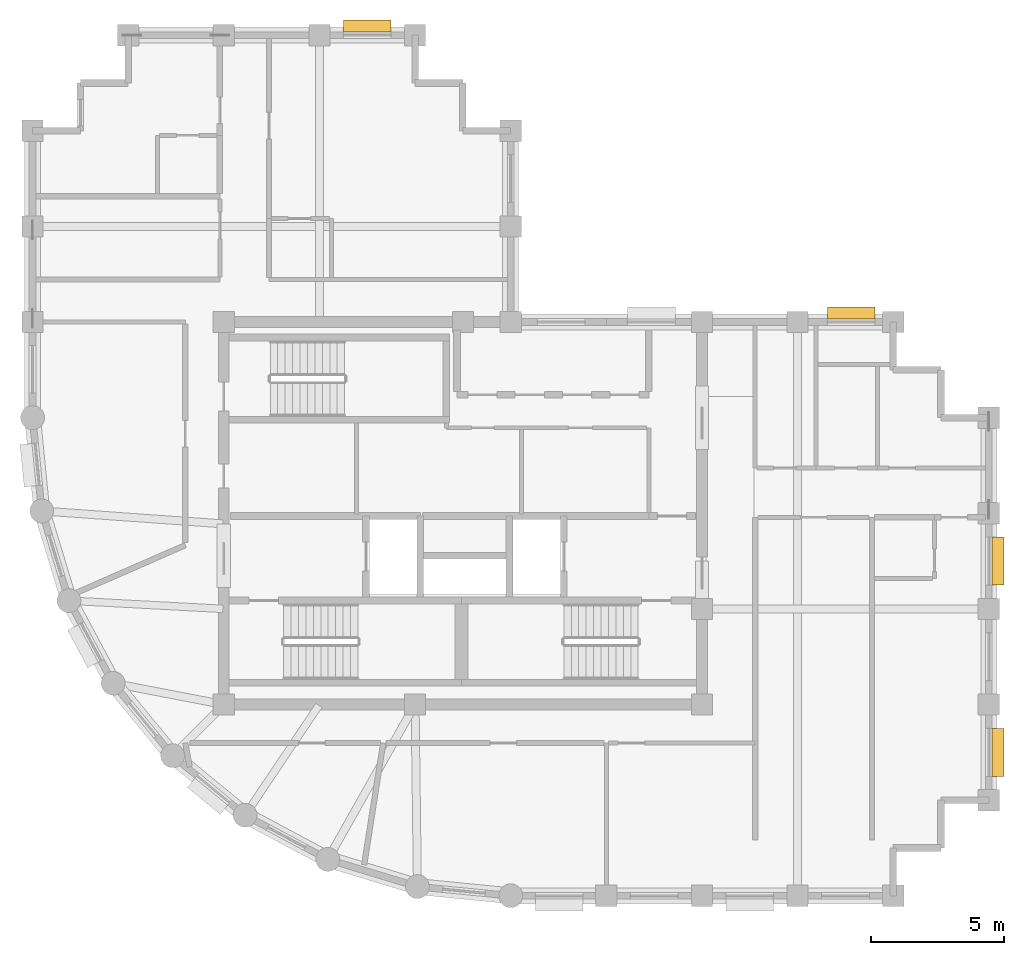
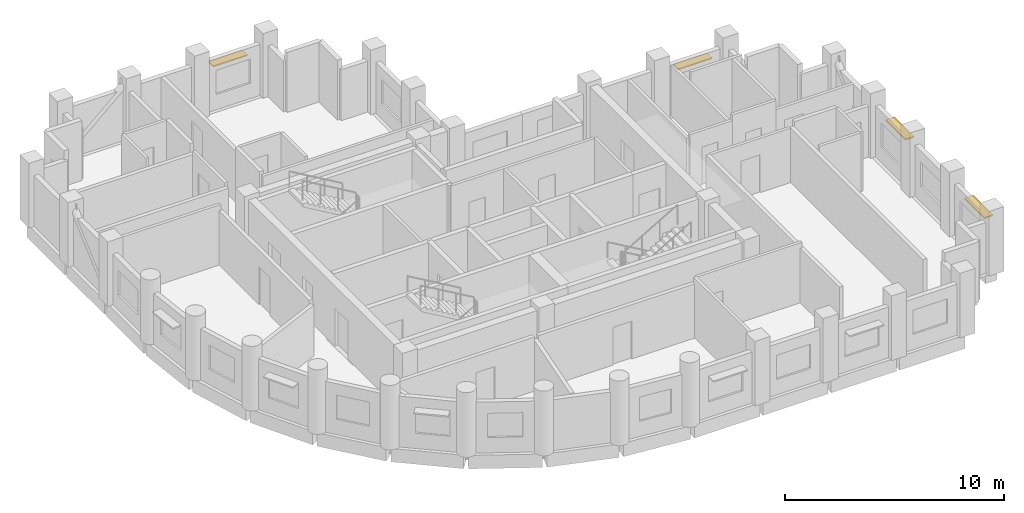
# One storey, part 7 of 7: 4 shading devices.
"""IFC4 building model written with IfcOpenShell, lengths in metres."""

import ifcopenshell
import ifcopenshell.guid

model = None  # the IFC model being written
_history = None  # IfcOwnerHistory: only IFC2X3 demands one
_inside = {}  # id of a spatial element -> (the spatial element, [elements in it])
_under = {}  # id of a project, library or spatial element -> (it, [spatial elements below it])
_declared = {}  # id of a project -> (the project, [libraries it declares])
_typed = {}  # id of a type object -> (the type object, [elements of that type])
_made_of = {}  # id of a material, layer set ... -> (it, [elements and type objects made of it])


def new_model(schema):
    """Start an empty IFC model of exactly this schema.

    Asked for "IFC4X3", IfcOpenShell would pick the latest addendum, in which some entities
    have other attributes; the version numbers below select the first issue.
    IFC2X3 requires an IfcOwnerHistory on every rooted entity: one is made here for all.
    """
    global model, _history
    if schema == "IFC4X3":
        model = ifcopenshell.file(schema_version=(4, 3, 0, 0))
    else:
        model = ifcopenshell.file(schema=schema)
    _inside.clear()
    _under.clear()
    _declared.clear()
    _typed.clear()
    _made_of.clear()
    _history = None
    if model.schema == "IFC2X3":
        org = make("IfcOrganization", Name="unknown")
        user = make(
            "IfcPersonAndOrganization",
            ThePerson=make("IfcPerson", FamilyName="unknown"),
            TheOrganization=org,
        )
        app = make(
            "IfcApplication",
            ApplicationDeveloper=org,
            Version="unknown",
            ApplicationFullName="unknown",
            ApplicationIdentifier="unknown",
        )
        _history = make(
            "IfcOwnerHistory",
            OwningUser=user,
            OwningApplication=app,
            ChangeAction="ADDED",
            CreationDate=0,
        )
    return model


def make(cls, **values):
    """One entity of the class cls with the attributes given. An attribute that is None is left unset."""
    return model.create_entity(
        cls, **{name: value for name, value in values.items() if value is not None}
    )


def rooted(cls, **values):
    """An entity with a GlobalId (a new one), such as an element, a storey or a relation."""
    return make(cls, GlobalId=ifcopenshell.guid.new(), OwnerHistory=_history, **values)


def si_unit(unit_type, name, prefix=None):
    """IfcSIUnit, for example si_unit("LENGTHUNIT", "METRE", prefix="MILLI")."""
    return make("IfcSIUnit", UnitType=unit_type, Prefix=prefix, Name=name)


def assignment(units):
    """IfcUnitAssignment: the units of a project."""
    return None if units is None else make("IfcUnitAssignment", Units=units)


def point(xyz):
    """IfcCartesianPoint."""
    return None if xyz is None else make("IfcCartesianPoint", Coordinates=xyz)


def direction(xyz):
    """IfcDirection."""
    return None if xyz is None else make("IfcDirection", DirectionRatios=xyz)


def frame(location, z_axis=None, x_axis=None):
    """IfcAxis2Placement3D, a coordinate frame: its origin and axes. An axis left out is left unset."""
    return make(
        "IfcAxis2Placement3D",
        Location=point(location),
        Axis=direction(z_axis),
        RefDirection=direction(x_axis),
    )


def frame_2d(location, x_axis=None):
    """IfcAxis2Placement2D, a coordinate frame in the plane: its origin and x axis."""
    return make(
        "IfcAxis2Placement2D", Location=point(location), RefDirection=direction(x_axis)
    )


def origin():
    """The frame at (0, 0, 0) with its axes left unset."""
    return frame((0.0, 0.0, 0.0))


def origin_2d():
    """The frame at (0, 0) in the plane with its x axis left unset."""
    return frame_2d((0.0, 0.0))


def place(relative_to, where):
    """IfcLocalPlacement: puts the frame where relative to a parent placement (None: the world)."""
    return make(
        "IfcLocalPlacement", PlacementRelTo=relative_to, RelativePlacement=where
    )


def context(
    kind, dimensions, precision=None, world=None, true_north=None, identifier=None
):
    """IfcGeometricRepresentationContext, for example the 3D "Model" context."""
    return make(
        "IfcGeometricRepresentationContext",
        ContextIdentifier=identifier,
        ContextType=kind,
        CoordinateSpaceDimension=dimensions,
        Precision=precision,
        WorldCoordinateSystem=world,
        TrueNorth=true_north,
    )


def subcontext(parent, identifier, kind, view, scale=None):
    """IfcGeometricRepresentationSubContext, for example "Body" below "Model"."""
    return make(
        "IfcGeometricRepresentationSubContext",
        ContextIdentifier=identifier,
        ContextType=kind,
        ParentContext=parent,
        TargetScale=scale,
        TargetView=view,
    )


def project(units=None, contexts=None):
    """IfcProject with its units and contexts."""
    return rooted(
        "IfcProject",
        Name="project",
        RepresentationContexts=contexts,
        UnitsInContext=assignment(units),
    )


def spatial(cls, under=None, at=None, **own):
    """A site, building, storey or space (cls), placed at a placement, below another one or the project."""
    s = rooted(cls, ObjectPlacement=at, **own)
    if under is not None:
        _under.setdefault(under.id(), (under, []))[1].append(s)
    return s


def profile(cls, at=None, kind="AREA", **sizes):
    """A parametric profile (cls). Its sizes go by their IFC names, for example OverallWidth=200.0."""
    return make(cls, ProfileType=kind, Position=at, **sizes)


def rectangle(**sizes):
    """IfcRectangleProfileDef."""
    return profile("IfcRectangleProfileDef", **sizes)


def extrude(swept, where, along, depth):
    """IfcExtrudedAreaSolid: the profile swept, set in the frame where, extruded along a direction by depth."""
    return make(
        "IfcExtrudedAreaSolid",
        SweptArea=swept,
        Position=where,
        ExtrudedDirection=direction(along),
        Depth=depth,
    )


def shape(context_of_items, identifier, shape_type, items):
    """IfcShapeRepresentation: the items that make up one representation, for example the "Body"."""
    return make(
        "IfcShapeRepresentation",
        ContextOfItems=context_of_items,
        RepresentationIdentifier=identifier,
        RepresentationType=shape_type,
        Items=items,
    )


def material(Name=None, Category=None):
    """IfcMaterial."""
    return make("IfcMaterial", Name=Name, Category=Category)


def layer(
    of_material, thickness, ventilated=None, Name=None, Category=None, Priority=None
):
    """IfcMaterialLayer: one layer of a wall or slab, of a material (None: an air gap)."""
    return make(
        "IfcMaterialLayer",
        Material=of_material,
        LayerThickness=thickness,
        IsVentilated=ventilated,
        Name=Name,
        Category=Category,
        Priority=Priority,
    )


def layer_set(layers, Name=None):
    """IfcMaterialLayerSet."""
    return make("IfcMaterialLayerSet", MaterialLayers=layers, LayerSetName=Name)


def made_of(thing, what):
    """Note that an element or type object is made of a material, layer set ...; save() writes the relation."""
    if what is not None:
        _made_of.setdefault(what.id(), (what, []))[1].append(thing)
    return thing


def type_object(cls, material=None, **own):
    """A type object (cls), such as IfcWallType, which elements share."""
    return made_of(rooted(cls, **own), material)


def element(
    cls,
    number,
    at=None,
    inside=None,
    cuts=None,
    type_object=None,
    material=None,
    context=None,
    identifier="Body",
    shape_type=None,
    held_by="IfcProductDefinitionShape",
    body=None,
    shapes=None,
    **own,
):
    """One element of the class cls, such as IfcWall. Its Tag is "e" and its number.

    at: its placement. inside: the storey or other place that contains it. cuts: it is an
    opening in that element (IfcRelVoidsElement). A single representation is given by context,
    identifier, shape_type and body (its items); several are given by shapes. held_by: the class
    of the entity that holds the representations. save() writes the other relations.
    """
    e = rooted(cls, Tag="e%d" % number, ObjectPlacement=at, **own)
    if body is not None:
        shapes = [shape(context, identifier, shape_type, body)]
    if shapes is not None:
        e.Representation = make(held_by, Representations=shapes)
    if inside is not None:
        _inside.setdefault(inside.id(), (inside, []))[1].append(e)
    if cuts is not None:
        rooted(
            "IfcRelVoidsElement", RelatingBuildingElement=cuts, RelatedOpeningElement=e
        )
    if type_object is not None:
        _typed.setdefault(type_object.id(), (type_object, []))[1].append(e)
    return made_of(e, material)


def aggregate(whole, parts):
    """IfcRelAggregates: a whole, such as a stair, and the parts it consists of."""
    return rooted("IfcRelAggregates", RelatingObject=whole, RelatedObjects=parts)


def save(model, path):
    """Write the relations noted so far, then the file.

    IfcRelAggregates (storeys below a building ...), IfcRelContainedInSpatialStructure (elements
    in a storey), IfcRelDefinesByType, IfcRelAssociatesMaterial and IfcRelDeclares: one each for
    every whole, place, type object, material and project.
    """
    for whole, parts in _under.values():
        aggregate(whole, parts)
    for where, things in _inside.values():
        rooted(
            "IfcRelContainedInSpatialStructure",
            RelatedElements=things,
            RelatingStructure=where,
        )
    for kind, things in _typed.values():
        rooted("IfcRelDefinesByType", RelatedObjects=things, RelatingType=kind)
    for what, things in _made_of.values():
        rooted("IfcRelAssociatesMaterial", RelatedObjects=things, RelatingMaterial=what)
    for by, libraries in _declared.values():
        rooted("IfcRelDeclares", RelatingContext=by, RelatedDefinitions=libraries)
    model.write(path)


model = new_model("IFC4")

# Units and contexts
model_context = context("Model", 3, precision=1e-05, world=origin(), true_north=direction((0.0, 1.0)))
body_context = subcontext(model_context, "Body", "Model", "MODEL_VIEW")
ifc_project = project(units=[si_unit("LENGTHUNIT", "METRE"), si_unit("AREAUNIT", "SQUARE_METRE"), si_unit("VOLUMEUNIT", "CUBIC_METRE"), si_unit("PLANEANGLEUNIT", "RADIAN"), si_unit("MASSUNIT", "GRAM", prefix="KILO")], contexts=[model_context])

# Site, building, storey
site_placement = place(None, origin())
site = spatial("IfcSite", under=ifc_project, at=site_placement, CompositionType="ELEMENT")
building_placement = place(site_placement, origin())
building = spatial("IfcBuilding", under=site, at=building_placement, Name="Solnavia Interchange Tower", CompositionType="ELEMENT")
storey_placement = place(building_placement, frame((0.0, 0.0, 235.39990234375)))
storey = spatial("IfcBuildingStorey", under=building, at=storey_placement, Name="L59", CompositionType="ELEMENT", Elevation=235.39990234375)

# Shading devices
ifc_material = material(Name="Anodised Aluminium Sunshade", Category="aluminium")
ifc_layer = layer(ifc_material, 0.070068359375)
ifc_layer_set = layer_set([ifc_layer], Name="Anodised Aluminium Sunshade")
shading_device_type = type_object("IfcShadingDeviceType", Name="Sunshade-Band-450", PredefinedType="JALOUSIE", material=ifc_layer_set)
for number, where, z_axis, x_axis, name in (
    (1, (43.544921875, 9.0, 2.22509765625), (0.0, 0.0, 1.0), (0.0, -1.0, 0.0), "SHD-L59-09 Horizontal sunshade band"),
    (2, (43.544921875, 16.199951171875, 2.22509765625), (0.0, 0.0, 1.0), (0.0, -1.0, 0.0), "SHD-L59-11 Horizontal sunshade band"),
    (3, (38.02001953125, 25.544921875, 2.22509765625), (0.0, 0.0, 1.0), (1.0, 0.0, 0.0), "SHD-L59-17 Horizontal sunshade band"),
    (4, (19.800048828125, 36.344970703125, 2.22509765625), (0.0, 0.0, 1.0), (1.0, 0.0, 0.0), "SHD-L59-27 Horizontal sunshade band"),
):
    element("IfcShadingDevice", number, at=place(storey_placement, frame(where, z_axis=z_axis, x_axis=x_axis)), inside=storey, type_object=shading_device_type, Name=name, PredefinedType="JALOUSIE", context=body_context, shape_type="SweptSolid", body=[
        extrude(rectangle(XDim=1.800048828125, YDim=0.449951171875, at=origin_2d()), origin(), (0.0, 0.0, 1.0), 0.070068359375),
    ])

save(model, "model.ifc")
